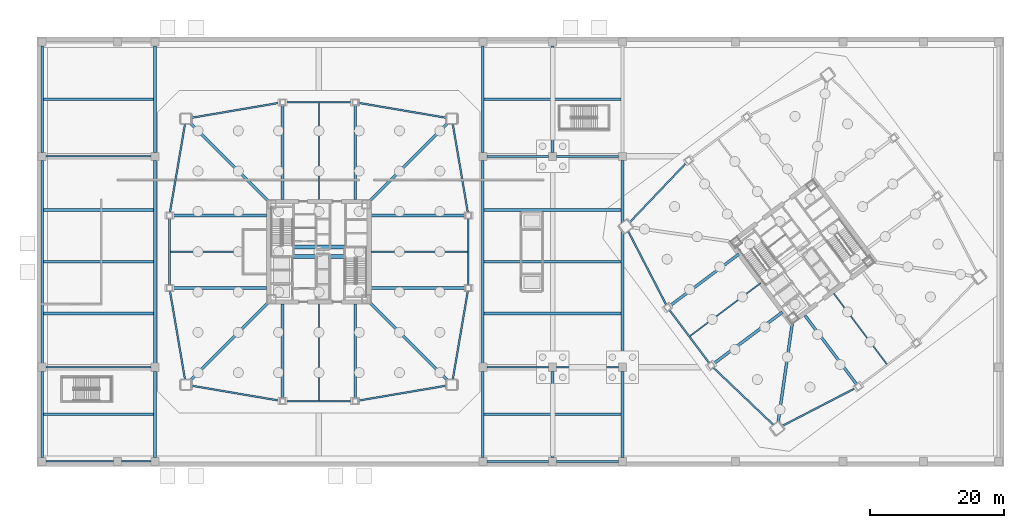
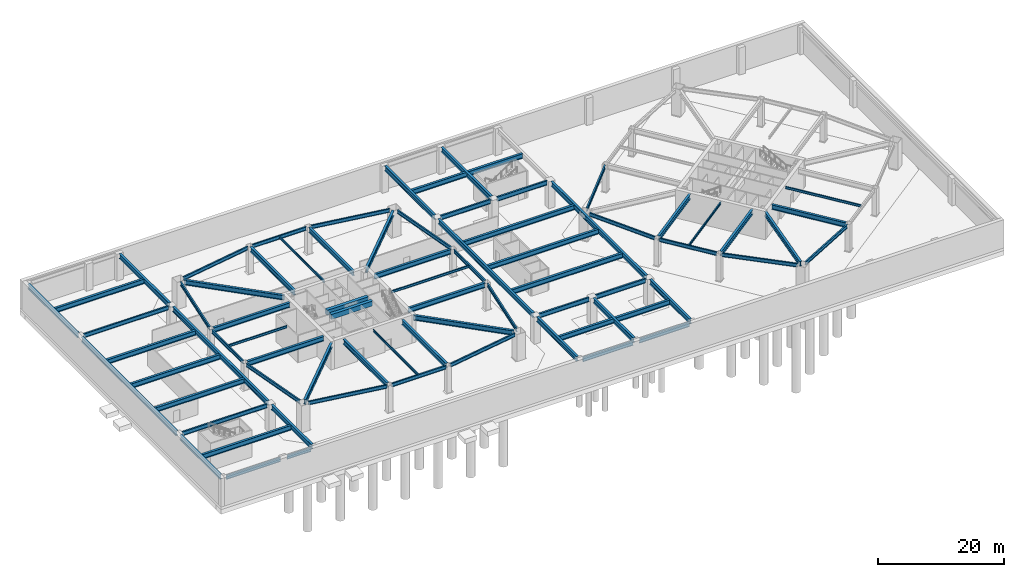
# One storey, part 6 of 19: 74 beams.
"""IFC4 building model written with IfcOpenShell, lengths in metres."""

from ifc_helpers import new_model, si_unit, direction, frame, origin, origin_2d, place, context, subcontext, project, spatial, rectangle, i_section, extrude, material, material_profile, profile_set, type_object, element, save


model = new_model("IFC4")

# Units and contexts
model_context = context("Model", 3, precision=1e-05, world=origin(), true_north=direction((0.0, 1.0)))
body_context = subcontext(model_context, "Body", "Model", "MODEL_VIEW")
ifc_project = project(units=[si_unit("LENGTHUNIT", "METRE"), si_unit("AREAUNIT", "SQUARE_METRE"), si_unit("VOLUMEUNIT", "CUBIC_METRE"), si_unit("PLANEANGLEUNIT", "RADIAN"), si_unit("MASSUNIT", "GRAM", prefix="KILO")], contexts=[model_context])

# Site, building, storey
site_placement = place(None, origin())
site = spatial("IfcSite", under=ifc_project, at=site_placement, CompositionType="ELEMENT")
building_placement = place(site_placement, origin())
building = spatial("IfcBuilding", under=site, at=building_placement, Name="Tashvorn Skyway Center", CompositionType="ELEMENT")
storey_placement = place(building_placement, frame((0.0, 0.0, -11.0)))
storey = spatial("IfcBuildingStorey", under=building, at=storey_placement, Name="B2", CompositionType="ELEMENT", Elevation=-11.0)

# Beams
ifc_material_1 = material(Name="Steel ASTM A992 Grade 50", Category="steel")
ifc_material_profile_1 = material_profile(ifc_material_1, i_section(OverallWidth=0.26708984375, OverallDepth=0.779052734375, WebThickness=0.0166015625, FlangeThickness=0.030029296875, at=origin_2d()), Name="W30X148")
ifc_profile_set_1 = profile_set([ifc_material_profile_1], Name="Steel ASTM A992 Grade 50")
beam_type_1 = type_object("IfcBeamType", Name="BM-BEAM-W30X148", PredefinedType="BEAM", material=ifc_profile_set_1)
beam_1_placement = place(storey_placement, frame((1.39501953125, 0.800048828125, 4.8505859375), z_axis=(1.0, 0.0, 0.0), x_axis=(0.0, 1.0, 0.0)))
element("IfcBeam", 1, at=beam_1_placement, inside=storey, type_object=beam_type_1, Name="B2 West Edge Girder A 01", PredefinedType="BEAM", context=body_context, shape_type="SweptSolid", body=[
    extrude(i_section(OverallWidth=0.26708984375, OverallDepth=0.779052734375, WebThickness=0.0166015625, FlangeThickness=0.030029296875, at=origin_2d()), origin(), (0.0, 0.0, 1.0), 10.010009765625),
])
beam_2_placement = place(storey_placement, frame((12.594970703125, 0.800048828125, 4.8505859375), z_axis=(1.0, 0.0, 0.0), x_axis=(0.0, 1.0, 0.0)))
element("IfcBeam", 2, at=beam_2_placement, inside=storey, type_object=beam_type_1, Name="B2 West Edge Girder B 01", PredefinedType="BEAM", context=body_context, shape_type="SweptSolid", body=[
    extrude(i_section(OverallWidth=0.26708984375, OverallDepth=0.779052734375, WebThickness=0.0166015625, FlangeThickness=0.030029296875, at=origin_2d()), origin(), (0.0, 0.0, 1.0), 4.409912109375),
])
for number, where, z_axis, x_axis, name in (
    (3, (1.39501953125, 14.800048828125, 4.8505859375), (1.0, 0.0, 0.0), (0.0, 1.0, 0.0), "B2 West Auditorium Span Girder 03"),
    (4, (1.39501953125, 46.199951171875, 4.8505859375), (1.0, 0.0, 0.0), (0.0, 1.0, 0.0), "B2 West Auditorium Span Girder 07"),
):
    element("IfcBeam", number, at=place(storey_placement, frame(where, z_axis=z_axis, x_axis=x_axis)), inside=storey, type_object=beam_type_1, Name=name, PredefinedType="BEAM", context=body_context, shape_type="SweptSolid", body=[
        extrude(i_section(OverallWidth=0.26708984375, OverallDepth=0.779052734375, WebThickness=0.0166015625, FlangeThickness=0.030029296875, at=origin_2d()), origin(), (0.0, 0.0, 1.0), 15.60986328125),
    ])
ifc_material_profile_2 = material_profile(ifc_material_1, i_section(OverallWidth=0.2919921875, OverallDepth=0.85888671875, WebThickness=0.01708984375, FlangeThickness=0.031005859375, at=origin_2d()), Name="W33X169")
ifc_profile_set_2 = profile_set([ifc_material_profile_2], Name="Steel ASTM A992 Grade 50")
beam_type_2 = type_object("IfcBeamType", Name="BM-BEAM-W33X169", PredefinedType="BEAM", material=ifc_profile_set_2)
for number, where, z_axis, x_axis, name in (
    (5, (66.9951171875, 0.800048828125, 4.810546875), (1.0, 0.0, 0.0), (0.0, 1.0, 0.0), "B2 Central Podium Girder A 01"),
    (6, (77.39501953125, 0.800048828125, 4.810546875), (1.0, 0.0, 0.0), (0.0, 1.0, 0.0), "B2 Central Podium Girder B 01"),
    (7, (66.9951171875, 14.800048828125, 4.810546875), (1.0, 0.0, 0.0), (0.0, 1.0, 0.0), "B2 Central Podium Girder A 03"),
    (8, (77.39501953125, 14.800048828125, 4.810546875), (1.0, 0.0, 0.0), (0.0, 1.0, 0.0), "B2 Central Podium Girder B 03"),
    (9, (66.9951171875, 46.199951171875, 4.810546875), (1.0, 0.0, 0.0), (0.0, 1.0, 0.0), "B2 Central Podium Girder A 07"),
    (10, (77.39501953125, 46.199951171875, 4.810546875), (1.0, 0.0, 0.0), (0.0, 1.0, 0.0), "B2 Central Podium Girder B 07"),
):
    element("IfcBeam", number, at=place(storey_placement, frame(where, z_axis=z_axis, x_axis=x_axis)), inside=storey, type_object=beam_type_2, Name=name, PredefinedType="BEAM", context=body_context, shape_type="SweptSolid", body=[
        extrude(i_section(OverallWidth=0.2919921875, OverallDepth=0.85888671875, WebThickness=0.01708984375, FlangeThickness=0.031005859375, at=origin_2d()), origin(), (0.0, 0.0, 1.0), 9.2099609375),
    ])
ifc_material_2 = material(Name="Steel ASTM A913 Grade 65", Category="steel")
ifc_material_profile_3 = material_profile(ifc_material_2, i_section(OverallWidth=0.4189453125, OverallDepth=0.927001953125, WebThickness=0.019287109375, FlangeThickness=0.031982421875, at=origin_2d()), Name="W36X231")
ifc_profile_set_3 = profile_set([ifc_material_profile_3], Name="Steel ASTM A913 Grade 65")
beam_type_3 = type_object("IfcBeamType", Name="BM-BEAM-W36X231", PredefinedType="BEAM", material=ifc_profile_set_3)
for number, where, z_axis, x_axis, name in (
    (11, (22.76220703125, 12.76220703125, 4.776611328125), (0.707106781187, 0.707106781187, 0.0), (-0.707106781187, 0.707106781187, 0.0), "Tower 1 B2 Primary Floor Girder MC-SW"),
    (12, (61.23779296875, 12.76220703125, 4.776611328125), (-0.707106781187, 0.707106781187, 0.0), (-0.707106781187, -0.707106781187, 0.0), "Tower 1 B2 Primary Floor Girder MC-SE"),
    (13, (61.23779296875, 51.23779296875, 4.776611328125), (-0.707106781187, -0.707106781187, 0.0), (0.707106781187, -0.707106781187, 0.0), "Tower 1 B2 Primary Floor Girder MC-NE"),
    (14, (22.76220703125, 51.23779296875, 4.776611328125), (0.707106781187, -0.707106781187, 0.0), (0.707106781187, 0.707106781187, 0.0), "Tower 1 B2 Primary Floor Girder MC-NW"),
):
    element("IfcBeam", number, at=place(storey_placement, frame(where, z_axis=z_axis, x_axis=x_axis)), inside=storey, type_object=beam_type_3, Name=name, PredefinedType="BEAM", context=body_context, shape_type="SweptSolid", body=[
        extrude(i_section(OverallWidth=0.4189453125, OverallDepth=0.927001953125, WebThickness=0.019287109375, FlangeThickness=0.031982421875, at=origin_2d()), origin(), (0.0, 0.0, 1.0), 16.591064453125),
    ])
for number, where, z_axis, x_axis, name in (
    (15, (36.60009765625, 10.169921875, 4.776611328125), (0.0, 1.0, 0.0), (-1.0, 0.0, 0.0), "Tower 1 B2 Primary Floor Girder FC-S1"),
    (16, (47.39990234375, 10.169921875, 4.776611328125), (0.0, 1.0, 0.0), (-1.0, 0.0, 0.0), "Tower 1 B2 Primary Floor Girder FC-S2"),
    (17, (63.830078125, 26.60009765625, 4.776611328125), (-1.0, 0.0, 0.0), (0.0, -1.0, 0.0), "Tower 1 B2 Primary Floor Girder FC-E1"),
    (18, (63.830078125, 37.39990234375, 4.776611328125), (-1.0, 0.0, 0.0), (0.0, -1.0, 0.0), "Tower 1 B2 Primary Floor Girder FC-E2"),
    (19, (47.39990234375, 53.830078125, 4.776611328125), (0.0, -1.0, 0.0), (1.0, 0.0, 0.0), "Tower 1 B2 Primary Floor Girder FC-N1"),
    (20, (36.60009765625, 53.830078125, 4.776611328125), (0.0, -1.0, 0.0), (1.0, 0.0, 0.0), "Tower 1 B2 Primary Floor Girder FC-N2"),
    (21, (20.169921875, 37.39990234375, 4.776611328125), (1.0, 0.0, 0.0), (0.0, 1.0, 0.0), "Tower 1 B2 Primary Floor Girder FC-W1"),
    (22, (20.169921875, 26.60009765625, 4.776611328125), (1.0, 0.0, 0.0), (0.0, 1.0, 0.0), "Tower 1 B2 Primary Floor Girder FC-W2"),
):
    element("IfcBeam", number, at=place(storey_placement, frame(where, z_axis=z_axis, x_axis=x_axis)), inside=storey, type_object=beam_type_3, Name=name, PredefinedType="BEAM", context=body_context, shape_type="SweptSolid", body=[
        extrude(i_section(OverallWidth=0.4189453125, OverallDepth=0.927001953125, WebThickness=0.019287109375, FlangeThickness=0.031982421875, at=origin_2d()), origin(), (0.0, 0.0, 1.0), 14.050048828125),
    ])
beam_3_placement = place(storey_placement, frame((110.3525390625, 6.467041015625, 4.776611328125), z_axis=(0.141414599991, 0.989950458816, 0.0), x_axis=(-0.989950458816, 0.141414599991, 0.0)))
element("IfcBeam", 23, at=beam_3_placement, inside=storey, type_object=beam_type_3, Name="Tower 2 B2 Primary Floor Girder MC-SW", PredefinedType="BEAM", context=body_context, shape_type="SweptSolid", body=[
    extrude(i_section(OverallWidth=0.4189453125, OverallDepth=0.927001953125, WebThickness=0.019287109375, FlangeThickness=0.031982421875, at=origin_2d()), origin(), (0.0, 0.0, 1.0), 15.177001953125),
])
for number, where, z_axis, x_axis, name in (
    (24, (122.05810546875, 12.256103515625, 4.776611328125), (-0.600018239213, 0.799986320265, 0.0), (-0.799986320265, -0.600018239213, 0.0), "Tower 2 B2 Primary Floor Girder FC-S1"),
    (25, (94.256103515625, 23.94189453125, 4.776611328125), (0.799986320265, 0.600018239213, 0.0), (-0.600018239213, 0.799986320265, 0.0), "Tower 2 B2 Primary Floor Girder FC-W1"),
):
    element("IfcBeam", number, at=place(storey_placement, frame(where, z_axis=z_axis, x_axis=x_axis)), inside=storey, type_object=beam_type_3, Name=name, PredefinedType="BEAM", context=body_context, shape_type="SweptSolid", body=[
        extrude(i_section(OverallWidth=0.4189453125, OverallDepth=0.927001953125, WebThickness=0.019287109375, FlangeThickness=0.031982421875, at=origin_2d()), origin(), (0.0, 0.0, 1.0), 12.849853515625),
    ])
beam_4_placement = place(storey_placement, frame((100.736083984375, 15.302001953125, 4.776611328125), z_axis=(0.800002279907, 0.599996960112, 0.0), x_axis=(-0.599996960112, 0.800002279907, 0.0)))
element("IfcBeam", 26, at=beam_4_placement, inside=storey, type_object=beam_type_3, Name="Tower 2 B2 Primary Floor Girder FC-W2", PredefinedType="BEAM", context=body_context, shape_type="SweptSolid", body=[
    extrude(i_section(OverallWidth=0.4189453125, OverallDepth=0.927001953125, WebThickness=0.019287109375, FlangeThickness=0.031982421875, at=origin_2d()), origin(), (0.0, 0.0, 1.0), 12.85009765625),
])
beam_5_placement = place(storey_placement, frame((0.800048828125, 1.39501953125, 4.776611328125), z_axis=(0.0, 1.0, 0.0), x_axis=(-1.0, 0.0, 0.0)))
element("IfcBeam", 27, at=beam_5_placement, inside=storey, type_object=beam_type_3, Name="B2 North-South Podium Girder 01-S", PredefinedType="BEAM", context=body_context, shape_type="SweptSolid", body=[
    extrude(i_section(OverallWidth=0.4189453125, OverallDepth=0.927001953125, WebThickness=0.019287109375, FlangeThickness=0.031982421875, at=origin_2d()), origin(), (0.0, 0.0, 1.0), 12.81005859375),
])
beam_6_placement = place(storey_placement, frame((0.800048828125, 15.39501953125, 4.776611328125), z_axis=(0.0, 1.0, 0.0), x_axis=(-1.0, 0.0, 0.0)))
element("IfcBeam", 28, at=beam_6_placement, inside=storey, type_object=beam_type_3, Name="B2 North-South Podium Girder 01-M", PredefinedType="BEAM", context=body_context, shape_type="SweptSolid", body=[
    extrude(i_section(OverallWidth=0.4189453125, OverallDepth=0.927001953125, WebThickness=0.019287109375, FlangeThickness=0.031982421875, at=origin_2d()), origin(), (0.0, 0.0, 1.0), 30.2099609375),
])
beam_7_placement = place(storey_placement, frame((0.800048828125, 46.794921875, 4.776611328125), z_axis=(0.0, 1.0, 0.0), x_axis=(-1.0, 0.0, 0.0)))
element("IfcBeam", 29, at=beam_7_placement, inside=storey, type_object=beam_type_3, Name="B2 North-South Podium Girder 01-N", PredefinedType="BEAM", context=body_context, shape_type="SweptSolid", body=[
    extrude(i_section(OverallWidth=0.4189453125, OverallDepth=0.927001953125, WebThickness=0.019287109375, FlangeThickness=0.031982421875, at=origin_2d()), origin(), (0.0, 0.0, 1.0), 15.81005859375),
])
beam_8_placement = place(storey_placement, frame((17.60009765625, 1.39501953125, 4.776611328125), z_axis=(0.0, 1.0, 0.0), x_axis=(-1.0, 0.0, 0.0)))
element("IfcBeam", 30, at=beam_8_placement, inside=storey, type_object=beam_type_3, Name="B2 North-South Podium Girder 02-S", PredefinedType="BEAM", context=body_context, shape_type="SweptSolid", body=[
    extrude(i_section(OverallWidth=0.4189453125, OverallDepth=0.927001953125, WebThickness=0.019287109375, FlangeThickness=0.031982421875, at=origin_2d()), origin(), (0.0, 0.0, 1.0), 12.81005859375),
])
beam_9_placement = place(storey_placement, frame((17.60009765625, 15.39501953125, 4.776611328125), z_axis=(0.0, 1.0, 0.0), x_axis=(-1.0, 0.0, 0.0)))
element("IfcBeam", 31, at=beam_9_placement, inside=storey, type_object=beam_type_3, Name="B2 North-South Podium Girder 02-M", PredefinedType="BEAM", context=body_context, shape_type="SweptSolid", body=[
    extrude(i_section(OverallWidth=0.4189453125, OverallDepth=0.927001953125, WebThickness=0.019287109375, FlangeThickness=0.031982421875, at=origin_2d()), origin(), (0.0, 0.0, 1.0), 30.2099609375),
])
beam_10_placement = place(storey_placement, frame((17.60009765625, 46.794921875, 4.776611328125), z_axis=(0.0, 1.0, 0.0), x_axis=(-1.0, 0.0, 0.0)))
element("IfcBeam", 32, at=beam_10_placement, inside=storey, type_object=beam_type_3, Name="B2 North-South Podium Girder 02-N", PredefinedType="BEAM", context=body_context, shape_type="SweptSolid", body=[
    extrude(i_section(OverallWidth=0.4189453125, OverallDepth=0.927001953125, WebThickness=0.019287109375, FlangeThickness=0.031982421875, at=origin_2d()), origin(), (0.0, 0.0, 1.0), 15.81005859375),
])
beam_11_placement = place(storey_placement, frame((66.39990234375, 1.39501953125, 4.776611328125), z_axis=(0.0, 1.0, 0.0), x_axis=(-1.0, 0.0, 0.0)))
element("IfcBeam", 33, at=beam_11_placement, inside=storey, type_object=beam_type_3, Name="B2 North-South Podium Girder 03-S", PredefinedType="BEAM", context=body_context, shape_type="SweptSolid", body=[
    extrude(i_section(OverallWidth=0.4189453125, OverallDepth=0.927001953125, WebThickness=0.019287109375, FlangeThickness=0.031982421875, at=origin_2d()), origin(), (0.0, 0.0, 1.0), 12.81005859375),
])
beam_12_placement = place(storey_placement, frame((66.39990234375, 15.39501953125, 4.776611328125), z_axis=(0.0, 1.0, 0.0), x_axis=(-1.0, 0.0, 0.0)))
element("IfcBeam", 34, at=beam_12_placement, inside=storey, type_object=beam_type_3, Name="B2 North-South Podium Girder 03-M", PredefinedType="BEAM", context=body_context, shape_type="SweptSolid", body=[
    extrude(i_section(OverallWidth=0.4189453125, OverallDepth=0.927001953125, WebThickness=0.019287109375, FlangeThickness=0.031982421875, at=origin_2d()), origin(), (0.0, 0.0, 1.0), 30.2099609375),
])
beam_13_placement = place(storey_placement, frame((66.39990234375, 46.794921875, 4.776611328125), z_axis=(0.0, 1.0, 0.0), x_axis=(-1.0, 0.0, 0.0)))
element("IfcBeam", 35, at=beam_13_placement, inside=storey, type_object=beam_type_3, Name="B2 North-South Podium Girder 03-N", PredefinedType="BEAM", context=body_context, shape_type="SweptSolid", body=[
    extrude(i_section(OverallWidth=0.4189453125, OverallDepth=0.927001953125, WebThickness=0.019287109375, FlangeThickness=0.031982421875, at=origin_2d()), origin(), (0.0, 0.0, 1.0), 15.81005859375),
])
beam_14_placement = place(storey_placement, frame((76.800048828125, 1.39501953125, 4.776611328125), z_axis=(0.0, 1.0, 0.0), x_axis=(-1.0, 0.0, 0.0)))
element("IfcBeam", 36, at=beam_14_placement, inside=storey, type_object=beam_type_3, Name="B2 North-South Podium Girder 04-S", PredefinedType="BEAM", context=body_context, shape_type="SweptSolid", body=[
    extrude(i_section(OverallWidth=0.4189453125, OverallDepth=0.927001953125, WebThickness=0.019287109375, FlangeThickness=0.031982421875, at=origin_2d()), origin(), (0.0, 0.0, 1.0), 12.81005859375),
])
beam_15_placement = place(storey_placement, frame((76.800048828125, 46.794921875, 4.776611328125), z_axis=(0.0, 1.0, 0.0), x_axis=(-1.0, 0.0, 0.0)))
element("IfcBeam", 37, at=beam_15_placement, inside=storey, type_object=beam_type_3, Name="B2 North-South Podium Girder 04-N", PredefinedType="BEAM", context=body_context, shape_type="SweptSolid", body=[
    extrude(i_section(OverallWidth=0.4189453125, OverallDepth=0.927001953125, WebThickness=0.019287109375, FlangeThickness=0.031982421875, at=origin_2d()), origin(), (0.0, 0.0, 1.0), 15.81005859375),
])
beam_16_placement = place(storey_placement, frame((87.199951171875, 1.39501953125, 4.776611328125), z_axis=(0.0, 1.0, 0.0), x_axis=(-1.0, 0.0, 0.0)))
element("IfcBeam", 38, at=beam_16_placement, inside=storey, type_object=beam_type_3, Name="B2 North-South Podium Girder 05-S", PredefinedType="BEAM", context=body_context, shape_type="SweptSolid", body=[
    extrude(i_section(OverallWidth=0.4189453125, OverallDepth=0.927001953125, WebThickness=0.019287109375, FlangeThickness=0.031982421875, at=origin_2d()), origin(), (0.0, 0.0, 1.0), 12.81005859375),
])
beam_17_placement = place(storey_placement, frame((87.199951171875, 15.39501953125, 4.776611328125), z_axis=(0.0, 1.0, 0.0), x_axis=(-1.0, 0.0, 0.0)))
element("IfcBeam", 39, at=beam_17_placement, inside=storey, type_object=beam_type_3, Name="B2 North-South Podium Girder 05-M", PredefinedType="BEAM", context=body_context, shape_type="SweptSolid", body=[
    extrude(i_section(OverallWidth=0.4189453125, OverallDepth=0.927001953125, WebThickness=0.019287109375, FlangeThickness=0.031982421875, at=origin_2d()), origin(), (0.0, 0.0, 1.0), 30.2099609375),
])
beam_18_placement = place(storey_placement, frame((1.00146484375, 7.800048828125, 4.776611328125), z_axis=(1.0, 0.0, 0.0), x_axis=(0.0, 1.0, 0.0)))
element("IfcBeam", 40, at=beam_18_placement, inside=storey, type_object=beam_type_3, Name="B2 West Auditorium Span Girder 02", PredefinedType="BEAM", context=body_context, shape_type="SweptSolid", body=[
    extrude(i_section(OverallWidth=0.4189453125, OverallDepth=0.927001953125, WebThickness=0.019287109375, FlangeThickness=0.031982421875, at=origin_2d()), origin(), (0.0, 0.0, 1.0), 16.39697265625),
])
beam_19_placement = place(storey_placement, frame((66.6015625, 7.800048828125, 4.776611328125), z_axis=(1.0, 0.0, 0.0), x_axis=(0.0, 1.0, 0.0)))
element("IfcBeam", 41, at=beam_19_placement, inside=storey, type_object=beam_type_3, Name="B2 Central Concourse Span Girder 02", PredefinedType="BEAM", context=body_context, shape_type="SweptSolid", body=[
    extrude(i_section(OverallWidth=0.4189453125, OverallDepth=0.927001953125, WebThickness=0.019287109375, FlangeThickness=0.031982421875, at=origin_2d()), origin(), (0.0, 0.0, 1.0), 20.39697265625),
])
beam_20_placement = place(storey_placement, frame((1.00146484375, 22.800048828125, 4.776611328125), z_axis=(1.0, 0.0, 0.0), x_axis=(0.0, 1.0, 0.0)))
element("IfcBeam", 42, at=beam_20_placement, inside=storey, type_object=beam_type_3, Name="B2 West Auditorium Span Girder 04", PredefinedType="BEAM", context=body_context, shape_type="SweptSolid", body=[
    extrude(i_section(OverallWidth=0.4189453125, OverallDepth=0.927001953125, WebThickness=0.019287109375, FlangeThickness=0.031982421875, at=origin_2d()), origin(), (0.0, 0.0, 1.0), 16.39697265625),
])
beam_21_placement = place(storey_placement, frame((66.6015625, 22.800048828125, 4.776611328125), z_axis=(1.0, 0.0, 0.0), x_axis=(0.0, 1.0, 0.0)))
element("IfcBeam", 43, at=beam_21_placement, inside=storey, type_object=beam_type_3, Name="B2 Central Concourse Span Girder 04", PredefinedType="BEAM", context=body_context, shape_type="SweptSolid", body=[
    extrude(i_section(OverallWidth=0.4189453125, OverallDepth=0.927001953125, WebThickness=0.019287109375, FlangeThickness=0.031982421875, at=origin_2d()), origin(), (0.0, 0.0, 1.0), 20.39697265625),
])
beam_22_placement = place(storey_placement, frame((1.00146484375, 30.5, 4.776611328125), z_axis=(1.0, 0.0, 0.0), x_axis=(0.0, 1.0, 0.0)))
element("IfcBeam", 44, at=beam_22_placement, inside=storey, type_object=beam_type_3, Name="B2 West Auditorium Span Girder 05", PredefinedType="BEAM", context=body_context, shape_type="SweptSolid", body=[
    extrude(i_section(OverallWidth=0.4189453125, OverallDepth=0.927001953125, WebThickness=0.019287109375, FlangeThickness=0.031982421875, at=origin_2d()), origin(), (0.0, 0.0, 1.0), 16.39697265625),
])
beam_23_placement = place(storey_placement, frame((66.6015625, 30.5, 4.776611328125), z_axis=(1.0, 0.0, 0.0), x_axis=(0.0, 1.0, 0.0)))
element("IfcBeam", 45, at=beam_23_placement, inside=storey, type_object=beam_type_3, Name="B2 Central Concourse Span Girder 05", PredefinedType="BEAM", context=body_context, shape_type="SweptSolid", body=[
    extrude(i_section(OverallWidth=0.4189453125, OverallDepth=0.927001953125, WebThickness=0.019287109375, FlangeThickness=0.031982421875, at=origin_2d()), origin(), (0.0, 0.0, 1.0), 20.39697265625),
])
beam_24_placement = place(storey_placement, frame((1.00146484375, 38.199951171875, 4.776611328125), z_axis=(1.0, 0.0, 0.0), x_axis=(0.0, 1.0, 0.0)))
element("IfcBeam", 46, at=beam_24_placement, inside=storey, type_object=beam_type_3, Name="B2 West Auditorium Span Girder 06", PredefinedType="BEAM", context=body_context, shape_type="SweptSolid", body=[
    extrude(i_section(OverallWidth=0.4189453125, OverallDepth=0.927001953125, WebThickness=0.019287109375, FlangeThickness=0.031982421875, at=origin_2d()), origin(), (0.0, 0.0, 1.0), 16.39697265625),
])
beam_25_placement = place(storey_placement, frame((66.6015625, 38.199951171875, 4.776611328125), z_axis=(1.0, 0.0, 0.0), x_axis=(0.0, 1.0, 0.0)))
element("IfcBeam", 47, at=beam_25_placement, inside=storey, type_object=beam_type_3, Name="B2 Central Concourse Span Girder 06", PredefinedType="BEAM", context=body_context, shape_type="SweptSolid", body=[
    extrude(i_section(OverallWidth=0.4189453125, OverallDepth=0.927001953125, WebThickness=0.019287109375, FlangeThickness=0.031982421875, at=origin_2d()), origin(), (0.0, 0.0, 1.0), 20.39697265625),
])
beam_26_placement = place(storey_placement, frame((1.00146484375, 54.699951171875, 4.776611328125), z_axis=(1.0, 0.0, 0.0), x_axis=(0.0, 1.0, 0.0)))
element("IfcBeam", 48, at=beam_26_placement, inside=storey, type_object=beam_type_3, Name="B2 West Auditorium Span Girder 08", PredefinedType="BEAM", context=body_context, shape_type="SweptSolid", body=[
    extrude(i_section(OverallWidth=0.4189453125, OverallDepth=0.927001953125, WebThickness=0.019287109375, FlangeThickness=0.031982421875, at=origin_2d()), origin(), (0.0, 0.0, 1.0), 16.39697265625),
])
beam_27_placement = place(storey_placement, frame((66.6015625, 54.699951171875, 4.776611328125), z_axis=(1.0, 0.0, 0.0), x_axis=(0.0, 1.0, 0.0)))
element("IfcBeam", 49, at=beam_27_placement, inside=storey, type_object=beam_type_3, Name="B2 Central Concourse Span Girder 08", PredefinedType="BEAM", context=body_context, shape_type="SweptSolid", body=[
    extrude(i_section(OverallWidth=0.4189453125, OverallDepth=0.927001953125, WebThickness=0.019287109375, FlangeThickness=0.031982421875, at=origin_2d()), origin(), (0.0, 0.0, 1.0), 20.39697265625),
])
ifc_material_profile_4 = material_profile(ifc_material_1, i_section(OverallWidth=0.19091796875, OverallDepth=0.4599609375, WebThickness=0.010009765625, FlangeThickness=0.01611328125, at=origin_2d()), Name="W18X55")
ifc_profile_set_4 = profile_set([ifc_material_profile_4], Name="Steel ASTM A992 Grade 50")
beam_type_4 = type_object("IfcBeamType", Name="BM-JOIST-W18X55", PredefinedType="JOIST", material=ifc_profile_set_4)
for number, where, z_axis, x_axis, name in (
    (50, (42.0, 24.2099609375, 5.010009765625), (0.0, -1.0, 0.0), (1.0, 0.0, 0.0), "Tower 1 B2 Secondary Composite Joist JS"),
    (51, (42.0, 39.7900390625, 5.010009765625), (0.0, 1.0, 0.0), (-1.0, 0.0, 0.0), "Tower 1 B2 Secondary Composite Joist JN"),
    (52, (49.7900390625, 32.0, 5.010009765625), (1.0, 0.0, 0.0), (0.0, 1.0, 0.0), "Tower 1 B2 Secondary Composite Joist JE"),
):
    element("IfcBeam", number, at=place(storey_placement, frame(where, z_axis=z_axis, x_axis=x_axis)), inside=storey, type_object=beam_type_4, Name=name, PredefinedType="JOIST", context=body_context, shape_type="SweptSolid", body=[
        extrude(i_section(OverallWidth=0.19091796875, OverallDepth=0.4599609375, WebThickness=0.010009765625, FlangeThickness=0.01611328125, at=origin_2d()), origin(), (0.0, 0.0, 1.0), 14.33984375),
    ])
beam_28_placement = place(storey_placement, frame((30.610107421875, 32.0, 5.010009765625), z_axis=(-1.0, 0.0, 0.0), x_axis=(0.0, -1.0, 0.0)))
element("IfcBeam", 53, at=beam_28_placement, inside=storey, type_object=beam_type_4, Name="Tower 1 B2 Secondary Composite Joist JW", PredefinedType="JOIST", context=body_context, shape_type="SweptSolid", body=[
    extrude(i_section(OverallWidth=0.19091796875, OverallDepth=0.4599609375, WebThickness=0.010009765625, FlangeThickness=0.01611328125, at=origin_2d()), origin(), (0.0, 0.0, 1.0), 10.739990234375),
])
for number, where, z_axis, x_axis, name in (
    (54, (118.674072265625, 25.76806640625, 5.010009765625), (0.600002972791, -0.799997770398, 0.0), (0.799997770398, 0.600002972791, 0.0), "Tower 2 B2 Secondary Composite Joist JS"),
    (55, (107.76806640625, 27.325927734375, 5.010009765625), (-0.799997770398, -0.600002972791, 0.0), (0.600002972791, -0.799997770398, 0.0), "Tower 2 B2 Secondary Composite Joist JW"),
):
    element("IfcBeam", number, at=place(storey_placement, frame(where, z_axis=z_axis, x_axis=x_axis)), inside=storey, type_object=beam_type_4, Name=name, PredefinedType="JOIST", context=body_context, shape_type="SweptSolid", body=[
        extrude(i_section(OverallWidth=0.19091796875, OverallDepth=0.4599609375, WebThickness=0.010009765625, FlangeThickness=0.01611328125, at=origin_2d()), origin(), (0.0, 0.0, 1.0), 13.139892578125),
    ])
ifc_material_3 = material(Name="Concrete C60/75", Category="concrete")
ifc_material_profile_5 = material_profile(ifc_material_3, rectangle(XDim=0.60009765625, YDim=0.949951171875, at=origin_2d()), Name="RCB600x950")
ifc_profile_set_5 = profile_set([ifc_material_profile_5], Name="Concrete C60/75")
beam_type_5 = type_object("IfcBeamType", Name="BM-LINTEL-RCB600x950", PredefinedType="LINTEL", material=ifc_profile_set_5)
for number, where, z_axis, x_axis, name in (
    (56, (38.199951171875, 32.679931640625, 4.764892578125), (1.0, 0.0, 0.0), (0.0, 1.0, 0.0), "Tower 1 B2 Core Coupling Beam CN"),
    (57, (38.199951171875, 31.320068359375, 4.764892578125), (1.0, 0.0, 0.0), (0.0, 1.0, 0.0), "Tower 1 B2 Core Coupling Beam CS"),
):
    element("IfcBeam", number, at=place(storey_placement, frame(where, z_axis=z_axis, x_axis=x_axis)), inside=storey, type_object=beam_type_5, Name=name, PredefinedType="LINTEL", context=body_context, shape_type="SweptSolid", body=[
        extrude(rectangle(XDim=0.60009765625, YDim=0.949951171875, at=origin_2d()), origin(), (0.0, 0.0, 1.0), 7.60009765625),
    ])
ifc_material_profile_6 = material_profile(ifc_material_1, i_section(OverallWidth=0.256103515625, OverallDepth=0.693115234375, WebThickness=0.014404296875, FlangeThickness=0.023681640625, at=origin_2d()), Name="W27X114")
ifc_profile_set_6 = profile_set([ifc_material_profile_6], Name="Steel ASTM A992 Grade 50")
beam_type_6 = type_object("IfcBeamType", Name="BM-SPANDREL-W27X114", PredefinedType="SPANDREL", material=ifc_profile_set_6)
beam_29_placement = place(storey_placement, frame((22.983642578125, 12.066650390625, 4.8935546875), z_axis=(0.985835025551, -0.16771792509, 0.0), x_axis=(0.16771792509, 0.985835025551, 0.0)))
element("IfcBeam", 58, at=beam_29_placement, inside=storey, type_object=beam_type_6, Name="Tower 1 B2 Spandrel Beam 01", PredefinedType="SPANDREL", context=body_context, shape_type="SweptSolid", body=[
    extrude(i_section(OverallWidth=0.256103515625, OverallDepth=0.693115234375, WebThickness=0.014404296875, FlangeThickness=0.023681640625, at=origin_2d()), origin(), (0.0, 0.0, 1.0), 13.39208984375),
])
beam_30_placement = place(storey_placement, frame((37.02001953125, 9.75, 4.8935546875), z_axis=(1.0, 0.0, 0.0), x_axis=(0.0, 1.0, 0.0)))
element("IfcBeam", 59, at=beam_30_placement, inside=storey, type_object=beam_type_6, Name="Tower 1 B2 Spandrel Beam 02", PredefinedType="SPANDREL", context=body_context, shape_type="SweptSolid", body=[
    extrude(i_section(OverallWidth=0.256103515625, OverallDepth=0.693115234375, WebThickness=0.014404296875, FlangeThickness=0.023681640625, at=origin_2d()), origin(), (0.0, 0.0, 1.0), 9.9599609375),
])
for number, where, z_axis, x_axis, name in (
    (60, (47.81396484375, 9.820556640625, 4.8935546875), (0.985835025551, 0.16771792509, 0.0), (-0.16771792509, 0.985835025551, 0.0), "Tower 1 B2 Spandrel Beam 03"),
    (61, (61.933349609375, 12.983642578125, 4.8935546875), (0.16771792509, 0.985835025551, 0.0), (-0.985835025551, 0.16771792509, 0.0), "Tower 1 B2 Spandrel Beam 04"),
):
    element("IfcBeam", number, at=place(storey_placement, frame(where, z_axis=z_axis, x_axis=x_axis)), inside=storey, type_object=beam_type_6, Name=name, PredefinedType="SPANDREL", context=body_context, shape_type="SweptSolid", body=[
        extrude(i_section(OverallWidth=0.256103515625, OverallDepth=0.693115234375, WebThickness=0.014404296875, FlangeThickness=0.023681640625, at=origin_2d()), origin(), (0.0, 0.0, 1.0), 13.39208984375),
    ])
beam_31_placement = place(storey_placement, frame((64.25, 27.02001953125, 4.8935546875), z_axis=(0.0, 1.0, 0.0), x_axis=(-1.0, 0.0, 0.0)))
element("IfcBeam", 62, at=beam_31_placement, inside=storey, type_object=beam_type_6, Name="Tower 1 B2 Spandrel Beam 05", PredefinedType="SPANDREL", context=body_context, shape_type="SweptSolid", body=[
    extrude(i_section(OverallWidth=0.256103515625, OverallDepth=0.693115234375, WebThickness=0.014404296875, FlangeThickness=0.023681640625, at=origin_2d()), origin(), (0.0, 0.0, 1.0), 9.9599609375),
])
for number, where, z_axis, x_axis, name in (
    (63, (64.179443359375, 37.81396484375, 4.8935546875), (-0.16771792509, 0.985835025551, 0.0), (-0.985835025551, -0.16771792509, 0.0), "Tower 1 B2 Spandrel Beam 06"),
    (64, (61.016357421875, 51.933349609375, 4.8935546875), (-0.985835025551, 0.16771792509, 0.0), (-0.16771792509, -0.985835025551, 0.0), "Tower 1 B2 Spandrel Beam 07"),
):
    element("IfcBeam", number, at=place(storey_placement, frame(where, z_axis=z_axis, x_axis=x_axis)), inside=storey, type_object=beam_type_6, Name=name, PredefinedType="SPANDREL", context=body_context, shape_type="SweptSolid", body=[
        extrude(i_section(OverallWidth=0.256103515625, OverallDepth=0.693115234375, WebThickness=0.014404296875, FlangeThickness=0.023681640625, at=origin_2d()), origin(), (0.0, 0.0, 1.0), 13.39208984375),
    ])
beam_32_placement = place(storey_placement, frame((46.97998046875, 54.25, 4.8935546875), z_axis=(-1.0, 0.0, 0.0), x_axis=(0.0, -1.0, 0.0)))
element("IfcBeam", 65, at=beam_32_placement, inside=storey, type_object=beam_type_6, Name="Tower 1 B2 Spandrel Beam 08", PredefinedType="SPANDREL", context=body_context, shape_type="SweptSolid", body=[
    extrude(i_section(OverallWidth=0.256103515625, OverallDepth=0.693115234375, WebThickness=0.014404296875, FlangeThickness=0.023681640625, at=origin_2d()), origin(), (0.0, 0.0, 1.0), 9.9599609375),
])
for number, where, z_axis, x_axis, name in (
    (66, (36.18603515625, 54.179443359375, 4.8935546875), (-0.985835025551, -0.16771792509, 0.0), (0.16771792509, -0.985835025551, 0.0), "Tower 1 B2 Spandrel Beam 09"),
    (67, (22.066650390625, 51.016357421875, 4.8935546875), (-0.16771792509, -0.985835025551, 0.0), (0.985835025551, -0.16771792509, 0.0), "Tower 1 B2 Spandrel Beam 10"),
):
    element("IfcBeam", number, at=place(storey_placement, frame(where, z_axis=z_axis, x_axis=x_axis)), inside=storey, type_object=beam_type_6, Name=name, PredefinedType="SPANDREL", context=body_context, shape_type="SweptSolid", body=[
        extrude(i_section(OverallWidth=0.256103515625, OverallDepth=0.693115234375, WebThickness=0.014404296875, FlangeThickness=0.023681640625, at=origin_2d()), origin(), (0.0, 0.0, 1.0), 13.39208984375),
    ])
beam_33_placement = place(storey_placement, frame((19.75, 36.97998046875, 4.8935546875), z_axis=(0.0, -1.0, 0.0), x_axis=(1.0, 0.0, 0.0)))
element("IfcBeam", 68, at=beam_33_placement, inside=storey, type_object=beam_type_6, Name="Tower 1 B2 Spandrel Beam 11", PredefinedType="SPANDREL", context=body_context, shape_type="SweptSolid", body=[
    extrude(i_section(OverallWidth=0.256103515625, OverallDepth=0.693115234375, WebThickness=0.014404296875, FlangeThickness=0.023681640625, at=origin_2d()), origin(), (0.0, 0.0, 1.0), 9.9599609375),
])
beam_34_placement = place(storey_placement, frame((19.820556640625, 26.18603515625, 4.8935546875), z_axis=(0.16771792509, -0.985835025551, 0.0), x_axis=(0.985835025551, 0.16771792509, 0.0)))
element("IfcBeam", 69, at=beam_34_placement, inside=storey, type_object=beam_type_6, Name="Tower 1 B2 Spandrel Beam 12", PredefinedType="SPANDREL", context=body_context, shape_type="SweptSolid", body=[
    extrude(i_section(OverallWidth=0.256103515625, OverallDepth=0.693115234375, WebThickness=0.014404296875, FlangeThickness=0.023681640625, at=origin_2d()), origin(), (0.0, 0.0, 1.0), 13.39208984375),
])
for number, where, z_axis, x_axis, name in (
    (70, (110.9462890625, 6.045166015625, 4.8935546875), (0.888315637339, 0.459233413919, 0.0), (-0.459233413919, 0.888315637339, 0.0), "Tower 2 B2 Spandrel Beam 01"),
    (71, (96.76025390625, 45.2958984375, 4.8935546875), (-0.689589637236, -0.724200339835, 0.0), (0.724200339835, -0.689589637236, 0.0), "Tower 2 B2 Spandrel Beam 09"),
    (72, (88.045166015625, 35.0537109375, 4.8935546875), (0.459233413919, -0.888315637339, 0.0), (0.888315637339, 0.459233413919, 0.0), "Tower 2 B2 Spandrel Beam 10"),
):
    element("IfcBeam", number, at=place(storey_placement, frame(where, z_axis=z_axis, x_axis=x_axis)), inside=storey, type_object=beam_type_6, Name=name, PredefinedType="SPANDREL", context=body_context, shape_type="SweptSolid", body=[
        extrude(i_section(OverallWidth=0.256103515625, OverallDepth=0.693115234375, WebThickness=0.014404296875, FlangeThickness=0.023681640625, at=origin_2d()), origin(), (0.0, 0.0, 1.0), 12.37255859375),
    ])
beam_35_placement = place(storey_placement, frame((94.172119140625, 23.35400390625, 4.8935546875), z_axis=(0.599988234018, -0.800008824351, 0.0), x_axis=(0.800008824351, 0.599988234018, 0.0)))
element("IfcBeam", 73, at=beam_35_placement, inside=storey, type_object=beam_type_6, Name="Tower 2 B2 Spandrel Beam 11", PredefinedType="SPANDREL", context=body_context, shape_type="SweptSolid", body=[
    extrude(i_section(OverallWidth=0.256103515625, OverallDepth=0.693115234375, WebThickness=0.014404296875, FlangeThickness=0.023681640625, at=origin_2d()), origin(), (0.0, 0.0, 1.0), 9.9599609375),
])
beam_36_placement = place(storey_placement, frame((100.7041015625, 14.76025390625, 4.8935546875), z_axis=(0.724200339835, -0.689589637236, 0.0), x_axis=(0.689589637236, 0.724200339835, 0.0)))
element("IfcBeam", 74, at=beam_36_placement, inside=storey, type_object=beam_type_6, Name="Tower 2 B2 Spandrel Beam 12", PredefinedType="SPANDREL", context=body_context, shape_type="SweptSolid", body=[
    extrude(i_section(OverallWidth=0.256103515625, OverallDepth=0.693115234375, WebThickness=0.014404296875, FlangeThickness=0.023681640625, at=origin_2d()), origin(), (0.0, 0.0, 1.0), 12.37255859375),
])

save(model, "model.ifc")
